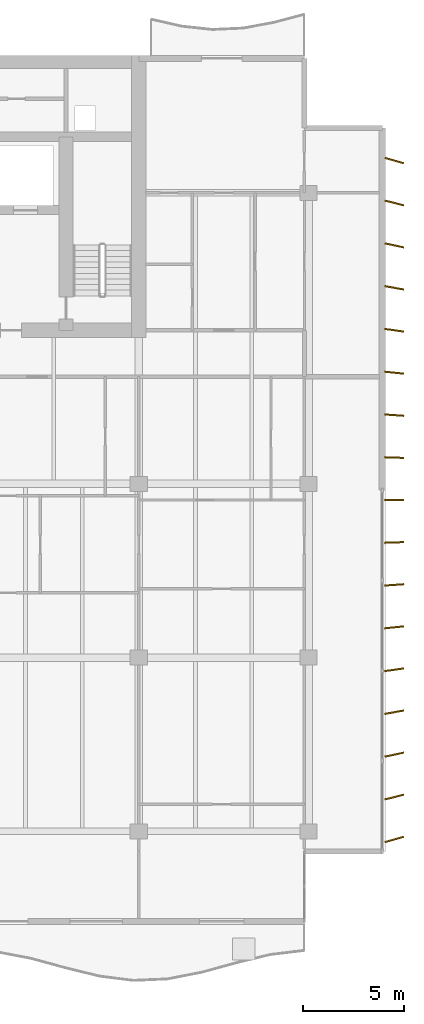
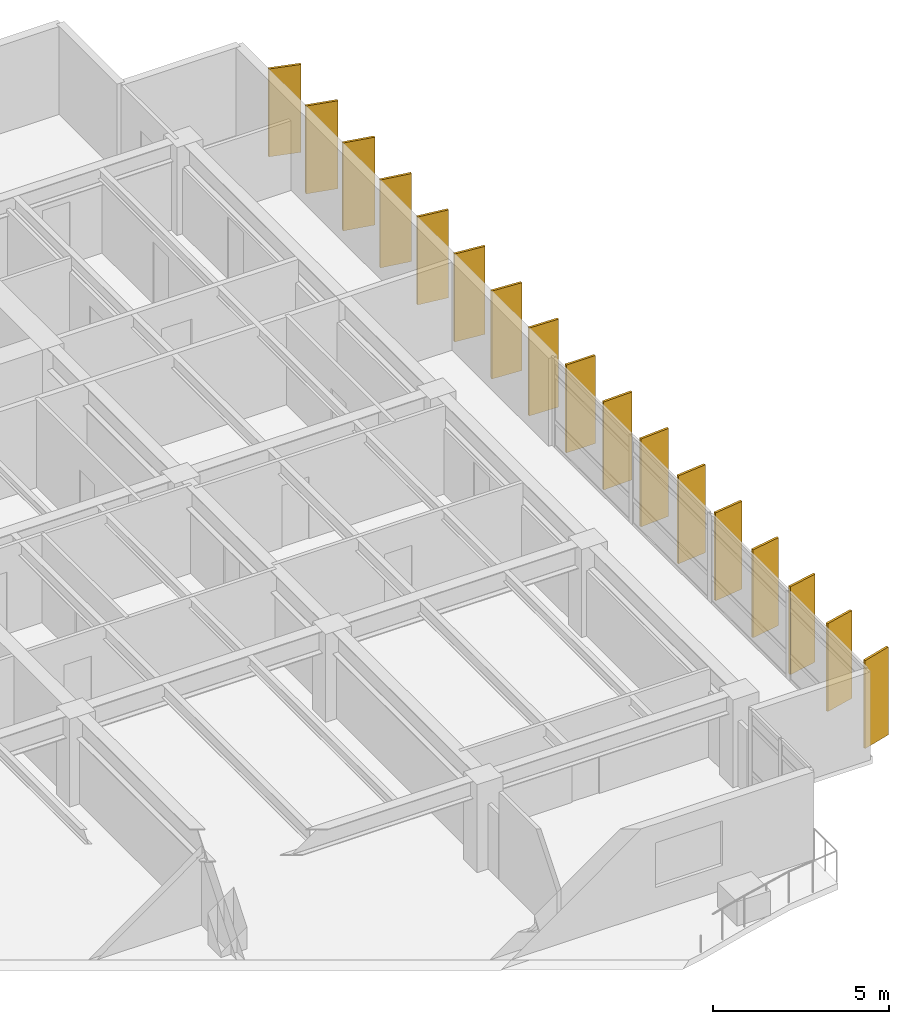
# One storey, part 17 of 17: 17 shading devices.
"""IFC4 building model written with IfcOpenShell, lengths in metres."""

from ifc_helpers import new_model, si_unit, direction, frame, origin, origin_2d, place, context, subcontext, project, spatial, rectangle, extrude, material, material_profile, profile_set, type_object, element, save


model = new_model("IFC4")

# Units and contexts
model_context = context("Model", 3, precision=1e-05, world=origin(), true_north=direction((0.0, 1.0)))
body_context = subcontext(model_context, "Body", "Model", "MODEL_VIEW")
ifc_project = project(units=[si_unit("LENGTHUNIT", "METRE"), si_unit("AREAUNIT", "SQUARE_METRE"), si_unit("VOLUMEUNIT", "CUBIC_METRE"), si_unit("PLANEANGLEUNIT", "RADIAN"), si_unit("MASSUNIT", "GRAM", prefix="KILO")], contexts=[model_context])

# Site, building, storey
site_placement = place(None, origin())
site = spatial("IfcSite", under=ifc_project, at=site_placement, CompositionType="ELEMENT")
building_placement = place(site_placement, origin())
building = spatial("IfcBuilding", under=site, at=building_placement, Name="Caelmar Bay Residences", CompositionType="ELEMENT")
storey_placement = place(building_placement, frame((0.0, 0.0, 201.60009765625)))
storey = spatial("IfcBuildingStorey", under=building, at=storey_placement, Name="L56", CompositionType="ELEMENT", Elevation=201.60009765625)

# Shading devices
ifc_material = material(Name="Anodised architectural bronze aluminium 6063-T6", Category="aluminium")
ifc_material_profile = material_profile(ifc_material, rectangle(XDim=0.074951171875, YDim=0.949951171875, at=origin_2d()), Name="BRONZE-FIN-75X950")
ifc_profile_set = profile_set([ifc_material_profile], Name="Anodised architectural bronze aluminium 6063-T6")
shading_device_type = type_object("IfcShadingDeviceType", Name="SHD-FIN-950", PredefinedType="USERDEFINED", material=ifc_profile_set)
for number, where, z_axis, x_axis, name in (
    (1, (72.14990234375, 11.800048828125, 0.0), (0.0, 0.0, 1.0), (-0.275637355817, 0.961261695938, 0.0), "L56 East Bronze Solar Fin 1"),
    (2, (72.14990234375, 13.89990234375, 0.0), (0.0, 0.0, 1.0), (-0.2419218956, 0.970295726276, 0.0), "L56 East Bronze Solar Fin 2"),
    (3, (72.14990234375, 16.0, 0.0), (0.0, 0.0, 1.0), (-0.207911690818, 0.978147600734, 0.0), "L56 East Bronze Solar Fin 3"),
    (4, (72.14990234375, 18.10009765625, 0.0), (0.0, 0.0, 1.0), (-0.173648177667, 0.984807753012, 0.0), "L56 East Bronze Solar Fin 4"),
    (5, (72.14990234375, 20.199951171875, 0.0), (0.0, 0.0, 1.0), (-0.13917310096, 0.990268068742, 0.0), "L56 East Bronze Solar Fin 5"),
    (6, (72.14990234375, 22.300048828125, 0.0), (0.0, 0.0, 1.0), (-0.104528463268, 0.994521895368, 0.0), "L56 East Bronze Solar Fin 6"),
    (7, (72.14990234375, 24.39990234375, 0.0), (0.0, 0.0, 1.0), (-0.069756473744, 0.99756405026, 0.0), "L56 East Bronze Solar Fin 7"),
    (8, (72.14990234375, 26.5, 0.0), (0.0, 0.0, 1.0), (-0.034899496703, 0.999390827019, 0.0), "L56 East Bronze Solar Fin 8"),
    (9, (72.14990234375, 28.60009765625, 0.0), (0.0, 0.0, 1.0), (0.0, 1.0, 0.0), "L56 East Bronze Solar Fin 9"),
    (10, (72.14990234375, 30.699951171875, 0.0), (0.0, 0.0, 1.0), (0.034899496703, 0.999390827019, 0.0), "L56 East Bronze Solar Fin 10"),
    (11, (72.14990234375, 32.800048828125, 0.0), (0.0, 0.0, 1.0), (0.069756473744, 0.99756405026, 0.0), "L56 East Bronze Solar Fin 11"),
    (12, (72.14990234375, 34.89990234375, 0.0), (0.0, 0.0, 1.0), (0.104528463268, 0.994521895368, 0.0), "L56 East Bronze Solar Fin 12"),
    (13, (72.14990234375, 37.0, 0.0), (0.0, 0.0, 1.0), (0.13917310096, 0.990268068742, 0.0), "L56 East Bronze Solar Fin 13"),
    (14, (72.14990234375, 39.10009765625, 0.0), (0.0, 0.0, 1.0), (0.173648177667, 0.984807753012, 0.0), "L56 East Bronze Solar Fin 14"),
    (15, (72.14990234375, 41.199951171875, 0.0), (0.0, 0.0, 1.0), (0.207911690818, 0.978147600734, 0.0), "L56 East Bronze Solar Fin 15"),
    (16, (72.14990234375, 43.300048828125, 0.0), (0.0, 0.0, 1.0), (0.2419218956, 0.970295726276, 0.0), "L56 East Bronze Solar Fin 16"),
    (17, (72.14990234375, 45.39990234375, 0.0), (0.0, 0.0, 1.0), (0.275637355817, 0.961261695938, 0.0), "L56 East Bronze Solar Fin 17"),
):
    element("IfcShadingDevice", number, at=place(storey_placement, frame(where, z_axis=z_axis, x_axis=x_axis)), inside=storey, type_object=shading_device_type, Name=name, ObjectType="FIN", PredefinedType="USERDEFINED", context=body_context, shape_type="SweptSolid", body=[
        extrude(rectangle(XDim=0.074951171875, YDim=0.949951171875, at=origin_2d()), origin(), (0.0, 0.0, 1.0), 3.0498046875),
    ])

save(model, "model.ifc")
